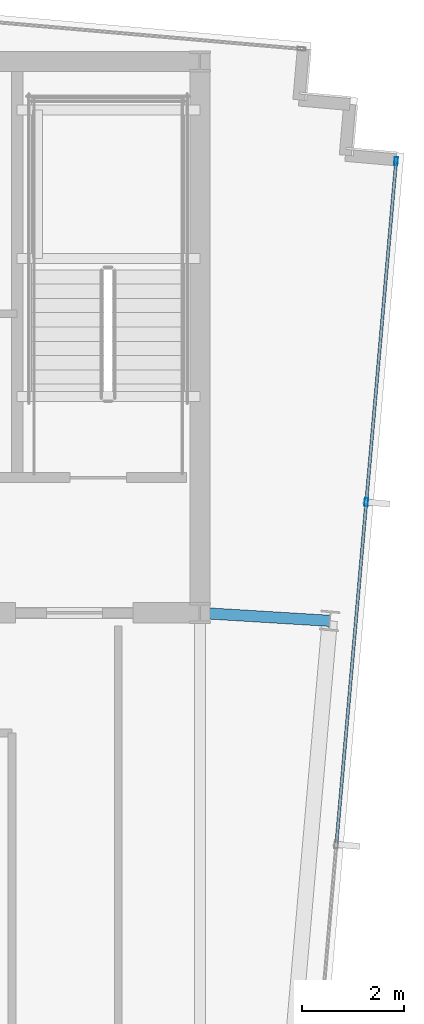
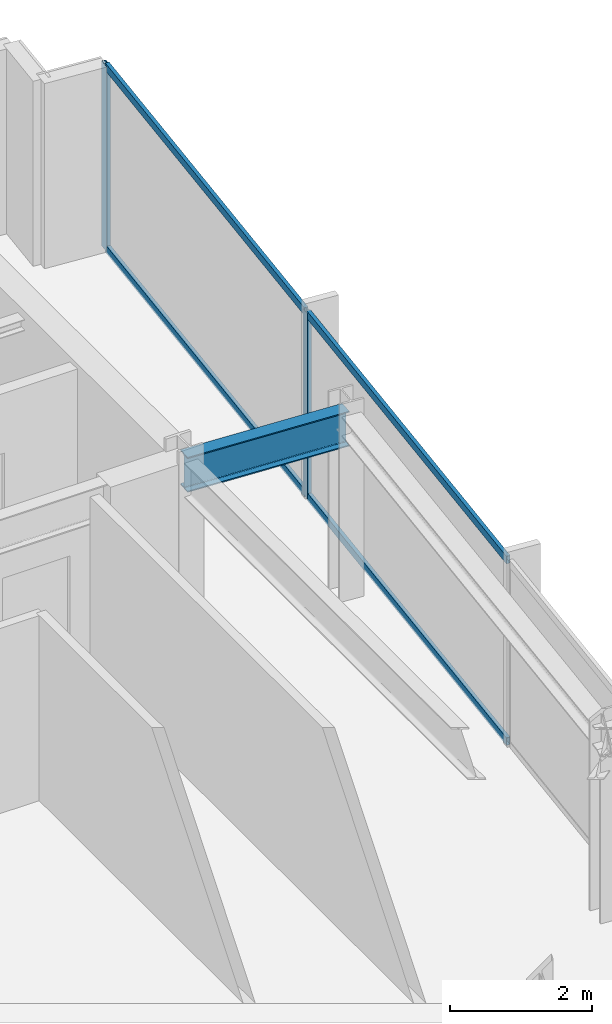
# One storey, part 21 of 33: 6 members, 1 beam, 1 element without a shape of its own.
"""IFC4 building model written with IfcOpenShell, lengths in metres."""

from ifc_helpers import new_model, si_unit, direction, frame, origin, origin_2d, place, context, subcontext, project, spatial, hollow_rectangle, i_section, extrude, material, material_profile, profile_set, type_object, element, aggregate, save


model = new_model("IFC4")

# Units and contexts
model_context = context("Model", 3, precision=1e-05, world=origin(), true_north=direction((0.0, 1.0)))
body_context = subcontext(model_context, "Body", "Model", "MODEL_VIEW")
ifc_project = project(units=[si_unit("LENGTHUNIT", "METRE"), si_unit("AREAUNIT", "SQUARE_METRE"), si_unit("VOLUMEUNIT", "CUBIC_METRE"), si_unit("PLANEANGLEUNIT", "RADIAN"), si_unit("MASSUNIT", "GRAM", prefix="KILO")], contexts=[model_context])

# Site, building, storey
site_placement = place(None, origin())
site = spatial("IfcSite", under=ifc_project, at=site_placement, CompositionType="ELEMENT")
building_placement = place(site_placement, origin())
building = spatial("IfcBuilding", under=site, at=building_placement, Name="Yelkora Congress Tower", CompositionType="ELEMENT")
storey_placement = place(building_placement, frame((0.0, 0.0, 282.89990234375)))
storey = spatial("IfcBuildingStorey", under=building, at=storey_placement, Name="L79", CompositionType="ELEMENT", Elevation=282.89990234375)

# Beam
ifc_material_1 = material(Name="Steel S355J2", Category="steel")
ifc_material_profile_1 = material_profile(ifc_material_1, i_section(OverallWidth=0.219970703125, OverallDepth=0.60009765625, WebThickness=0.011962890625, FlangeThickness=0.01904296875, FilletRadius=0.02392578125, at=origin_2d()), Name="IPE 600")
ifc_profile_set_1 = profile_set([ifc_material_profile_1], Name="Steel S355J2")
beam_type = type_object("IfcBeamType", Name="BM-GIRD-IPE600", PredefinedType="BEAM", material=ifc_profile_set_1)
beam_placement = place(storey_placement, frame((56.302001953125, 35.24560546875, 2.880126953125), z_axis=(-0.99816287892, 0.060587681471, 0.0), x_axis=(-0.060587681471, -0.99816287892, 0.0)))
element("IfcBeam", 1, at=beam_placement, inside=storey, type_object=beam_type, Name="L79 Primary Frame Girder E02", PredefinedType="BEAM", context=body_context, shape_type="SweptSolid", body=[
    extrude(i_section(OverallWidth=0.219970703125, OverallDepth=0.60009765625, WebThickness=0.011962890625, FlangeThickness=0.01904296875, FilletRadius=0.02392578125, at=origin_2d()), origin(), (0.0, 0.0, 1.0), 2.546630859375),
])

# Curtain wall, members
ifc_material_2 = material(Name="Anodised aluminium and insulated glass", Category="aluminium")
curtain_wall_type = type_object("IfcCurtainWallType", Name="CW-SYS-B5", PredefinedType="NOTDEFINED", material=ifc_material_2)
curtain_wall_placement = place(storey_placement, origin())
curtain_wall = element("IfcCurtainWall", 2, at=curtain_wall_placement, inside=storey, type_object=curtain_wall_type, Name="L79 Unitised Curtain Wall 15", PredefinedType="NOTDEFINED")
ifc_material_3 = material(Name="Anodised aluminium 6063-T6", Category="aluminium")
ifc_material_profile_2 = material_profile(ifc_material_3, hollow_rectangle(XDim=0.06494140625, YDim=0.159912109375, WallThickness=0.00390625, at=origin_2d()), Name="ALU 65x160x4")
ifc_profile_set_2 = profile_set([ifc_material_profile_2], Name="Anodised aluminium 6063-T6")
member_type_1 = type_object("IfcMemberType", Name="MEM-ML-B5", PredefinedType="MULLION", material=ifc_profile_set_2)
member_1_placement = place(storey_placement, frame((57.601318359375, 44.243896484375, 0.0), z_axis=(0.0, 0.0, 1.0), x_axis=(0.996194463398, -0.087158425264, 0.0)))
member_1 = element("IfcMember", 3, at=member_1_placement, type_object=member_type_1, Name="CW-B5 mullion 1", PredefinedType="MULLION", context=body_context, shape_type="SweptSolid", body=[
    extrude(hollow_rectangle(XDim=0.06494140625, YDim=0.159912109375, WallThickness=0.00390625, at=origin_2d()), origin(), (0.0, 0.0, 1.0), 3.18017578125),
])
member_2_placement = place(storey_placement, frame((57.017578125, 37.572021484375, 0.0), z_axis=(0.0, 0.0, 1.0), x_axis=(0.996194463398, -0.087158425264, 0.0)))
member_2 = element("IfcMember", 4, at=member_2_placement, type_object=member_type_1, Name="CW-B5 mullion 2", PredefinedType="MULLION", context=body_context, shape_type="SweptSolid", body=[
    extrude(hollow_rectangle(XDim=0.06494140625, YDim=0.159912109375, WallThickness=0.00390625, at=origin_2d()), origin(), (0.0, 0.0, 1.0), 3.18017578125),
])
ifc_material_profile_3 = material_profile(ifc_material_3, hollow_rectangle(XDim=0.06005859375, YDim=0.1298828125, WallThickness=0.00390625, at=origin_2d()), Name="ALU 60x130x4")
ifc_profile_set_3 = profile_set([ifc_material_profile_3], Name="Anodised aluminium 6063-T6")
member_type_2 = type_object("IfcMemberType", Name="MEM-TR-B5", PredefinedType="USERDEFINED", material=ifc_profile_set_3)
member_3_placement = place(storey_placement, frame((57.598388671875, 44.21142578125, 0.030029296875), z_axis=(-0.08716649365, -0.996193757451, 0.0), x_axis=(0.996193757451, -0.08716649365, 0.0)))
member_3 = element("IfcMember", 5, at=member_3_placement, type_object=member_type_2, Name="CW-B5 transom 1.1", ObjectType="TRANSOM", PredefinedType="USERDEFINED", context=body_context, shape_type="SweptSolid", body=[
    extrude(hollow_rectangle(XDim=0.06005859375, YDim=0.1298828125, WallThickness=0.00390625, at=origin_2d()), origin(), (0.0, 0.0, 1.0), 6.63232421875),
])
member_4_placement = place(storey_placement, frame((57.598388671875, 44.21142578125, 3.150146484375), z_axis=(-0.08716649365, -0.996193757451, 0.0), x_axis=(0.996193757451, -0.08716649365, 0.0)))
member_4 = element("IfcMember", 6, at=member_4_placement, type_object=member_type_2, Name="CW-B5 transom 1.2", ObjectType="TRANSOM", PredefinedType="USERDEFINED", context=body_context, shape_type="SweptSolid", body=[
    extrude(hollow_rectangle(XDim=0.06005859375, YDim=0.1298828125, WallThickness=0.00390625, at=origin_2d()), origin(), (0.0, 0.0, 1.0), 6.63232421875),
])
member_5_placement = place(storey_placement, frame((57.0146484375, 37.53955078125, 0.030029296875), z_axis=(-0.087143321513, -0.996195784731, 0.0), x_axis=(0.996195784731, -0.087143321513, 0.0)))
member_5 = element("IfcMember", 7, at=member_5_placement, type_object=member_type_2, Name="CW-B5 transom 2.1", ObjectType="TRANSOM", PredefinedType="USERDEFINED", context=body_context, shape_type="SweptSolid", body=[
    extrude(hollow_rectangle(XDim=0.06005859375, YDim=0.1298828125, WallThickness=0.00390625, at=origin_2d()), origin(), (0.0, 0.0, 1.0), 6.6650390625),
])
member_6_placement = place(storey_placement, frame((57.0146484375, 37.53955078125, 3.150146484375), z_axis=(-0.087143321513, -0.996195784731, 0.0), x_axis=(0.996195784731, -0.087143321513, 0.0)))
member_6 = element("IfcMember", 8, at=member_6_placement, type_object=member_type_2, Name="CW-B5 transom 2.2", ObjectType="TRANSOM", PredefinedType="USERDEFINED", context=body_context, shape_type="SweptSolid", body=[
    extrude(hollow_rectangle(XDim=0.06005859375, YDim=0.1298828125, WallThickness=0.00390625, at=origin_2d()), origin(), (0.0, 0.0, 1.0), 6.6650390625),
])
aggregate(curtain_wall, [member_1, member_2, member_3, member_4, member_5, member_6])

save(model, "model.ifc")
